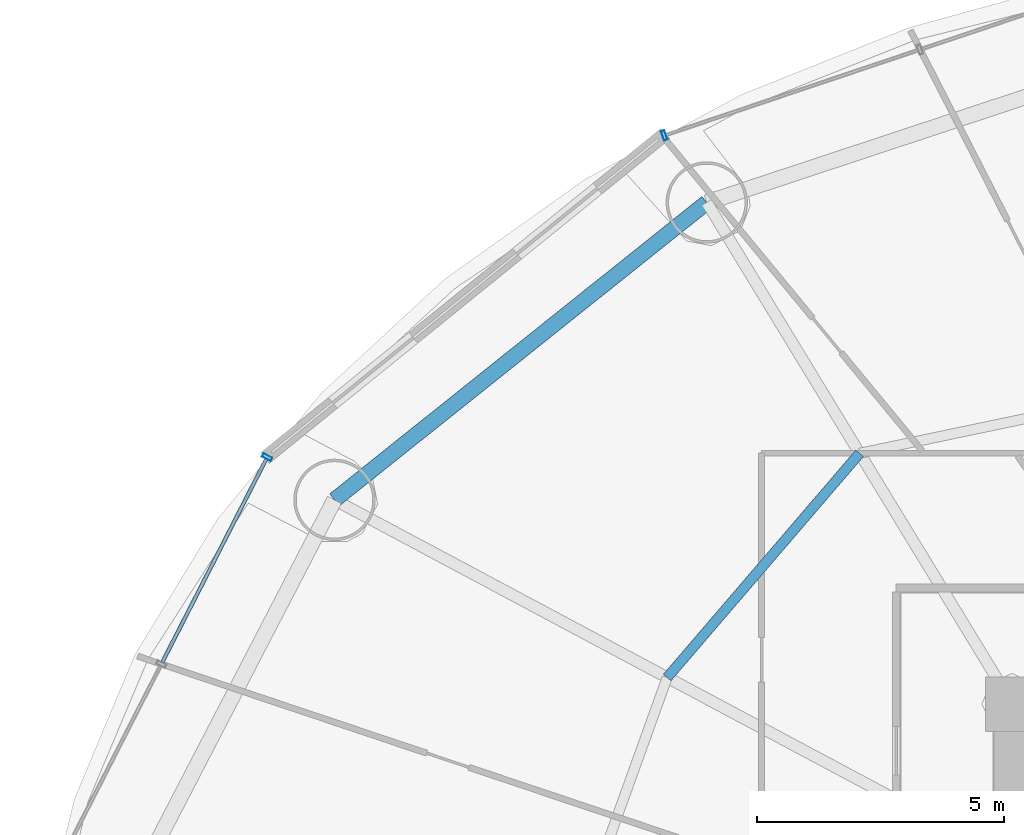
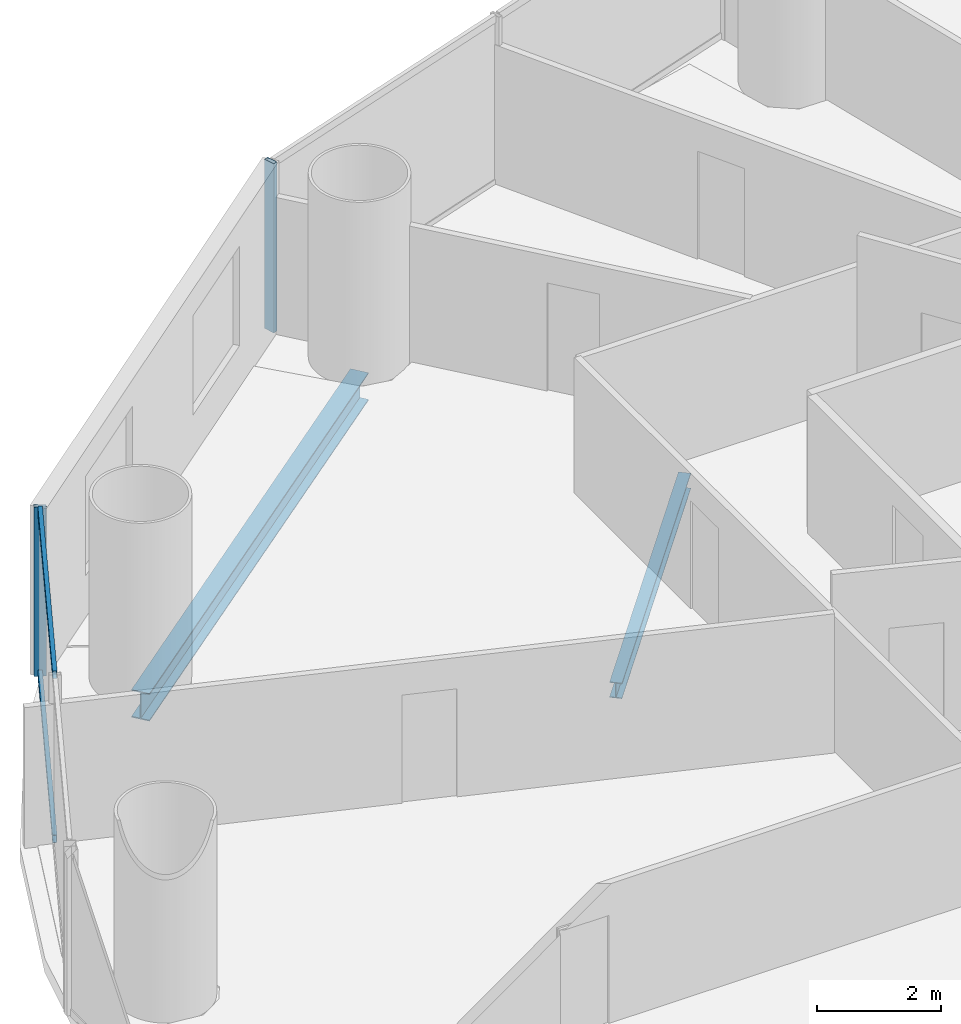
# One storey, part 16 of 30: 4 members, 2 beams, 2 elements without a shape of their own.
"""IFC4 building model written with IfcOpenShell, lengths in metres."""

from ifc_helpers import new_model, si_unit, direction, frame, origin, origin_2d, place, context, subcontext, project, spatial, hollow_rectangle, i_section, extrude, source, transform, mapped, material, material_profile, profile_set, type_object, element, aggregate, save


model = new_model("IFC4")

# Units and contexts
model_context = context("Model", 3, precision=1e-05, world=origin(), true_north=direction((-0.2419218956, 0.970295726276)))
body_context = subcontext(model_context, "Body", "Model", "MODEL_VIEW")
ifc_project = project(units=[si_unit("LENGTHUNIT", "METRE"), si_unit("AREAUNIT", "SQUARE_METRE"), si_unit("VOLUMEUNIT", "CUBIC_METRE"), si_unit("PLANEANGLEUNIT", "RADIAN"), si_unit("MASSUNIT", "GRAM", prefix="KILO")], contexts=[model_context])

# Site, building, storey
site_placement = place(None, origin())
site = spatial("IfcSite", under=ifc_project, at=site_placement, CompositionType="ELEMENT")
building_placement = place(site_placement, origin())
building = spatial("IfcBuilding", under=site, at=building_placement, Name="Cobrevalo Terracotta Tower", CompositionType="ELEMENT")
storey_placement = place(building_placement, frame((0.0, 0.0, 60.0)))
storey = spatial("IfcBuildingStorey", under=building, at=storey_placement, Name="L15", CompositionType="ELEMENT", Elevation=60.0)

# Beams
ifc_material_1 = material(Name="Steel S355", Category="steel")
ifc_material_profile_1 = material_profile(ifc_material_1, i_section(OverallWidth=0.2041015625, OverallDepth=0.305908203125, WebThickness=0.008544921875, FlangeThickness=0.0146484375, at=origin_2d()), Name="W 310x67")
ifc_profile_set_1 = profile_set([ifc_material_profile_1], Name="Steel S355")
beam_type_1 = type_object("IfcBeamType", Name="Structural Joist W 310x67 (Steel S355)", PredefinedType="JOIST", material=ifc_profile_set_1)
beam_1_placement = place(storey_placement, frame((25.902587890625, 39.8837890625, -0.43310546875), z_axis=(-0.651328404454, -0.758795960421, 0.0), x_axis=(0.758795960421, -0.651328404454, 0.0)))
element("IfcBeam", 1, at=beam_1_placement, inside=storey, type_object=beam_type_1, Name="L15 circumferential secondary floor joist 06", PredefinedType="JOIST", context=body_context, shape_type="SweptSolid", body=[
    extrude(i_section(OverallWidth=0.2041015625, OverallDepth=0.305908203125, WebThickness=0.008544921875, FlangeThickness=0.0146484375, at=origin_2d()), origin(), (0.0, 0.0, 1.0), 5.98828125),
])
ifc_material_profile_2 = material_profile(ifc_material_1, i_section(OverallWidth=0.31201171875, OverallDepth=0.54296875, WebThickness=0.0126953125, FlangeThickness=0.020263671875, at=origin_2d()), Name="W 530x150")
ifc_profile_set_2 = profile_set([ifc_material_profile_2], Name="Steel S355")
beam_type_2 = type_object("IfcBeamType", Name="Structural Spandrel W 530x150 (Steel S355)", PredefinedType="SPANDREL", material=ifc_profile_set_2)
beam_2_placement = place(storey_placement, frame((22.80517578125, 44.967529296875, -0.551513671875), z_axis=(-0.781292806807, -0.62416468182, 0.0), x_axis=(0.62416468182, -0.781292806807, 0.0)))
element("IfcBeam", 2, at=beam_2_placement, inside=storey, type_object=beam_type_2, Name="L15 perimeter ring spandrel 06", PredefinedType="SPANDREL", context=body_context, shape_type="SweptSolid", body=[
    extrude(i_section(OverallWidth=0.31201171875, OverallDepth=0.54296875, WebThickness=0.0126953125, FlangeThickness=0.020263671875, at=origin_2d()), origin(), (0.0, 0.0, 1.0), 9.658203125),
])

# Curtain wall, member
ifc_material_2 = material(Name="Anodized aluminium", Category="aluminium")
curtain_wall_type = type_object("IfcCurtainWallType", Name="Lower-tower unitised acoustic low-E curtain wall CW-U1", PredefinedType="NOTDEFINED", material=ifc_material_2)
curtain_wall_1_placement = place(storey_placement, origin())
curtain_wall_1 = element("IfcCurtainWall", 3, at=curtain_wall_1_placement, inside=storey, type_object=curtain_wall_type, Name="L15 curtain wall CW-L15-S05", PredefinedType="NOTDEFINED")
ifc_material_profile_3 = material_profile(ifc_material_2, hollow_rectangle(XDim=0.074951171875, YDim=0.199951171875, WallThickness=0.0048828125, at=origin_2d()), Name="CWM 75x200")
ifc_profile_set_3 = profile_set([ifc_material_profile_3], Name="Anodized aluminium")
member_type_1 = type_object("IfcMemberType", Name="Lower/mid tower unitised mullion 75x200", PredefinedType="MULLION", material=ifc_profile_set_3)
shared_shape_1 = source(origin(), body_context, "Body", "SweptSolid", [
    extrude(hollow_rectangle(XDim=0.074951171875, YDim=0.199951171875, WallThickness=0.0048828125, at=origin_2d()), origin(), (0.0, 0.0, 1.0), 3.320068359375),
])
member_1_placement = place(storey_placement, frame((21.943115234375, 46.327392578125, 0.0), z_axis=(0.0, 0.0, 1.0), x_axis=(-0.948046393597, -0.318132103987, 0.0)))
member_1 = element("IfcMember", 4, at=member_1_placement, type_object=member_type_1, Name="CW-L15-S05 vertical mullion 03", PredefinedType="MULLION", context=body_context, shape_type="MappedRepresentation", body=[
    mapped(shared_shape_1, transform((0.0, 0.0, 0.0), scale=1.0)),
])
aggregate(curtain_wall_1, [member_1])

# Curtain wall, members
curtain_wall_2_placement = place(storey_placement, origin())
curtain_wall_2 = element("IfcCurtainWall", 5, at=curtain_wall_2_placement, inside=storey, type_object=curtain_wall_type, Name="L15 curtain wall CW-L15-S07", PredefinedType="NOTDEFINED")
member_2_placement = place(storey_placement, frame((13.89404296875, 39.8037109375, 0.0), z_axis=(0.0, 0.0, 1.0), x_axis=(-0.455234136597, -0.890371765543, 0.0)))
member_2 = element("IfcMember", 6, at=member_2_placement, type_object=member_type_1, Name="CW-L15-S07 vertical mullion 01", PredefinedType="MULLION", context=body_context, shape_type="MappedRepresentation", body=[
    mapped(shared_shape_1, transform((0.0, 0.0, 0.0), scale=1.0)),
])
ifc_material_profile_4 = material_profile(ifc_material_2, hollow_rectangle(XDim=0.074951171875, YDim=0.14990234375, WallThickness=0.00439453125, at=origin_2d()), Name="CWT 75x150")
ifc_profile_set_4 = profile_set([ifc_material_profile_4], Name="Anodized aluminium")
member_type_2 = type_object("IfcMemberType", Name="Tower unitised aluminium transom 75x150", PredefinedType="USERDEFINED", material=ifc_profile_set_4)
shared_shape_2 = source(origin(), body_context, "Body", "SweptSolid", [
    extrude(hollow_rectangle(XDim=0.074951171875, YDim=0.14990234375, WallThickness=0.00439453125, at=origin_2d()), origin(), (0.0, 0.0, 1.0), 4.63134765625),
])
member_3_placement = place(storey_placement, frame((13.8759765625, 39.76806640625, 0.050048828125), z_axis=(-0.455250376494, -0.890363462133, 0.0), x_axis=(0.890363462133, -0.455250376494, 0.0)))
member_3 = element("IfcMember", 7, at=member_3_placement, type_object=member_type_2, Name="CW-L15-S07 transom B01-T1", ObjectType="TRANSOM", PredefinedType="USERDEFINED", context=body_context, shape_type="MappedRepresentation", body=[
    mapped(shared_shape_2, transform((0.0, 0.0, 0.0), scale=1.0)),
])
member_4_placement = place(storey_placement, frame((13.8759765625, 39.76806640625, 3.27001953125), z_axis=(-0.455250376494, -0.890363462133, 0.0), x_axis=(0.890363462133, -0.455250376494, 0.0)))
member_4 = element("IfcMember", 8, at=member_4_placement, type_object=member_type_2, Name="CW-L15-S07 transom B01-T2", ObjectType="TRANSOM", PredefinedType="USERDEFINED", context=body_context, shape_type="MappedRepresentation", body=[
    mapped(shared_shape_2, transform((0.0, 0.0, 0.0), scale=1.0)),
])
aggregate(curtain_wall_2, [member_2, member_3, member_4])

save(model, "model.ifc")
